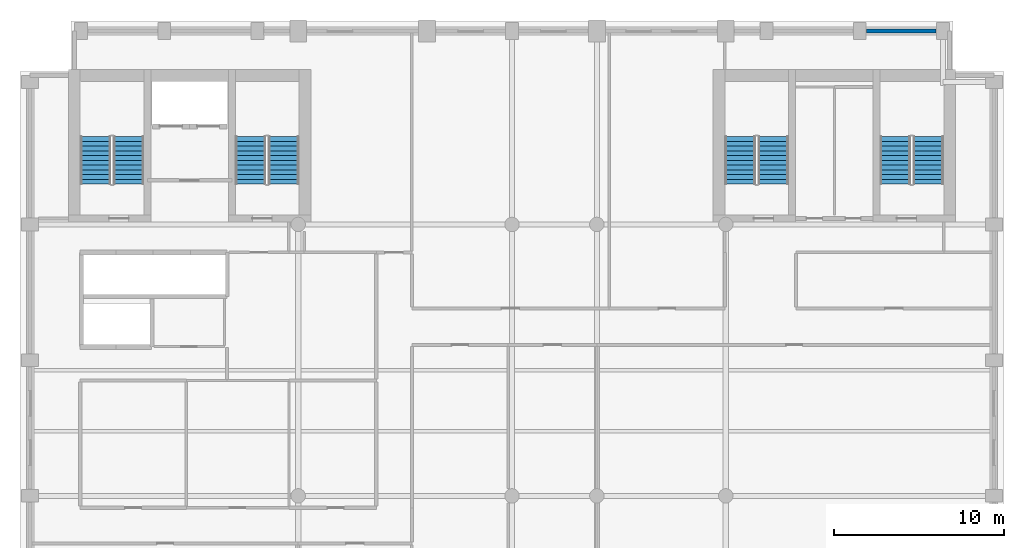
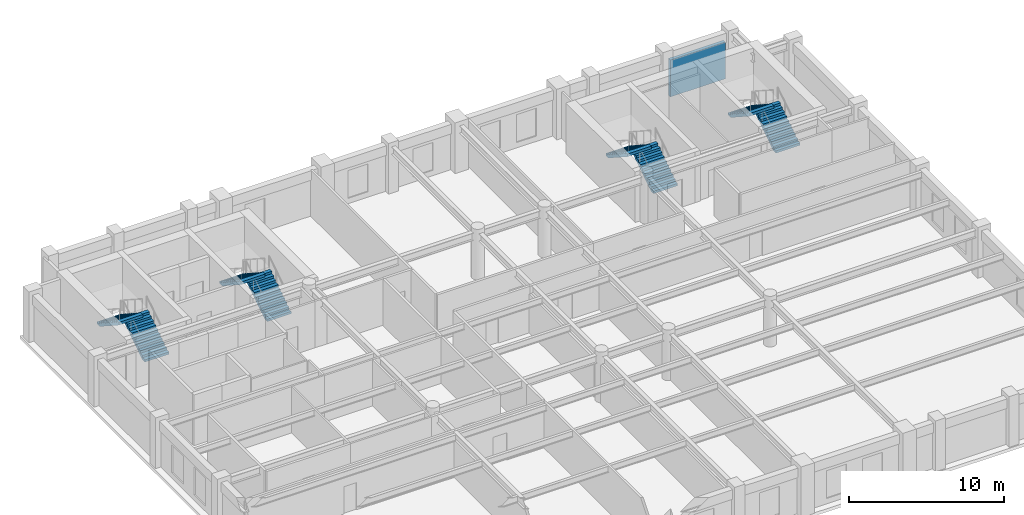
# One storey, part 6 of 8: 8 stair flights, 1 wall, 4 elements without a shape of their own.
"""IFC4 building model written with IfcOpenShell, lengths in metres."""

from ifc_helpers import new_model, si_unit, direction, frame, frame_2d, origin, place, context, subcontext, project, spatial, polyline, rectangle, outline, extrude, material, layer, layer_set, type_object, element, aggregate, save


model = new_model("IFC4")

# Units and contexts
model_context = context("Model", 3, precision=1e-05, world=origin(), true_north=direction((0.0, 1.0)))
body_context = subcontext(model_context, "Body", "Model", "MODEL_VIEW")
ifc_project = project(units=[si_unit("LENGTHUNIT", "METRE"), si_unit("AREAUNIT", "SQUARE_METRE"), si_unit("VOLUMEUNIT", "CUBIC_METRE"), si_unit("PLANEANGLEUNIT", "RADIAN"), si_unit("MASSUNIT", "GRAM", prefix="KILO")], contexts=[model_context])

# Site, building, storey
site_placement = place(None, origin())
site = spatial("IfcSite", under=ifc_project, at=site_placement, CompositionType="ELEMENT")
building_placement = place(site_placement, origin())
building = spatial("IfcBuilding", under=site, at=building_placement, Name="Sulina Concourse Tower", CompositionType="ELEMENT")
storey_placement = place(building_placement, frame((0.0, 0.0, 234.60009765625)))
storey = spatial("IfcBuildingStorey", under=building, at=storey_placement, Name="L57", CompositionType="ELEMENT", Elevation=234.60009765625)

# Wall
ifc_material_1 = material(Name="Precast concrete C50/60", Category="concrete")
ifc_layer = layer(ifc_material_1, 0.239990234375)
ifc_layer_set = layer_set([ifc_layer], Name="Precast concrete C50/60")
wall_type = type_object("IfcWallType", Name="Crown Precast Masonry-Frame Facade Wall 240mm", PredefinedType="SOLIDWALL", material=ifc_layer_set)
wall_placement = place(storey_placement, frame((49.89501953125, 45.39990234375, 0.0), z_axis=(0.0, 0.0, 1.0), x_axis=(1.0, 0.0, 0.0)))
element("IfcWall", 1, at=wall_placement, inside=storey, type_object=wall_type, Name="L57 exterior precast wall N10", PredefinedType="SOLIDWALL", context=body_context, shape_type="SweptSolid", body=[
    extrude(rectangle(XDim=4.10986328125, YDim=0.239990234375, at=frame_2d((2.054931640625, 0.0))), origin(), (0.0, 0.0, 1.0), 2.909912109375),
])

# Stair, stair flights
ifc_material_2 = material(Name="Concrete C50/60", Category="concrete")
stair_type_1 = type_object("IfcStairType", Name="Portal & Podium Core Exit Stair 1820mm", PredefinedType="HALF_TURN_STAIR", material=ifc_material_2)
stair_1_placement = place(storey_placement, origin())
stair_1 = element("IfcStair", 2, at=stair_1_placement, inside=storey, type_object=stair_type_1, Name="L57 ST-3", PredefinedType="HALF_TURN_STAIR")
ifc_material_3 = material(Name="Concrete C50/60", Category="concrete")
stair_flight_type_1 = type_object("IfcStairFlightType", Name="Portal & Podium Core Exit Stair 1820mm Flight", PredefinedType="STRAIGHT", material=ifc_material_3)
stair_flight_1_placement = place(storey_placement, frame((44.405029296875, 36.375, 0.0), z_axis=(0.0, 0.0, 1.0), x_axis=(0.0, 1.0, 0.0)))
stair_flight_1 = element("IfcStairFlight", 3, at=stair_flight_1_placement, type_object=stair_flight_type_1, Name="ST-3 flight 1", NumberOfRisers=11, NumberOfTreads=10, PredefinedType="STRAIGHT", RiserHeight=0.181818182, TreadLength=0.28, context=body_context, shape_type="SweptSolid", body=[
    extrude(outline(polyline([(0.0, 0.0), (0.0, 0.181884765625), (0.280029296875, 0.181884765625), (0.280029296875, 0.363525390625), (0.56005859375, 0.363525390625), (0.56005859375, 0.54541015625), (0.840087890625, 0.54541015625), (0.840087890625, 0.727294921875), (1.1201171875, 0.727294921875), (1.1201171875, 0.9091796875), (1.39990234375, 0.9091796875), (1.39990234375, 1.0908203125), (1.679931640625, 1.0908203125), (1.679931640625, 1.272705078125), (1.9599609375, 1.272705078125), (1.9599609375, 1.45458984375), (2.239990234375, 1.45458984375), (2.239990234375, 1.636474609375), (2.52001953125, 1.636474609375), (2.52001953125, 1.818115234375), (2.800048828125, 1.818115234375), (2.800048828125, 2.0), (2.800048828125, 1.603759765625), (0.330322265625, 0.0), (0.0, 0.0)])), frame((0.0, 0.89990234375, 0.0), z_axis=(0.0, -1.0, 0.0), x_axis=(1.0, 0.0, 0.0)), (0.0, 0.0, 1.0), 1.800048828125),
])
stair_flight_2_placement = place(storey_placement, frame((42.455078125, 39.175048828125, 2.0), z_axis=(0.0, 0.0, 1.0), x_axis=(0.0, -1.0, 0.0)))
stair_flight_2 = element("IfcStairFlight", 4, at=stair_flight_2_placement, type_object=stair_flight_type_1, Name="ST-3 flight 2", NumberOfRisers=11, NumberOfTreads=10, PredefinedType="STRAIGHT", RiserHeight=0.181818182, TreadLength=0.28, context=body_context, shape_type="SweptSolid", body=[
    extrude(outline(polyline([(0.0, 0.0), (0.0, 0.181884765625), (0.280029296875, 0.181884765625), (0.280029296875, 0.363525390625), (0.56005859375, 0.363525390625), (0.56005859375, 0.54541015625), (0.840087890625, 0.54541015625), (0.840087890625, 0.727294921875), (1.1201171875, 0.727294921875), (1.1201171875, 0.9091796875), (1.39990234375, 0.9091796875), (1.39990234375, 1.0908203125), (1.679931640625, 1.0908203125), (1.679931640625, 1.272705078125), (1.9599609375, 1.272705078125), (1.9599609375, 1.45458984375), (2.239990234375, 1.45458984375), (2.239990234375, 1.636474609375), (2.52001953125, 1.636474609375), (2.52001953125, 1.818115234375), (2.800048828125, 1.818115234375), (2.800048828125, 2.0), (2.800048828125, 1.603759765625), (0.330322265625, 0.0), (0.0, 0.0)])), frame((0.0, 0.89990234375, 0.0), z_axis=(0.0, -1.0, 0.0), x_axis=(1.0, 0.0, 0.0)), (0.0, 0.0, 1.0), 1.800048828125),
])
aggregate(stair_1, [stair_flight_1, stair_flight_2])

stair_2_placement = place(storey_placement, origin())
stair_2 = element("IfcStair", 5, at=stair_2_placement, inside=storey, type_object=stair_type_1, Name="L57 ST-4", PredefinedType="HALF_TURN_STAIR")
stair_flight_3_placement = place(storey_placement, frame((53.544921875, 36.375, 0.0), z_axis=(0.0, 0.0, 1.0), x_axis=(0.0, 1.0, 0.0)))
stair_flight_3 = element("IfcStairFlight", 6, at=stair_flight_3_placement, type_object=stair_flight_type_1, Name="ST-4 flight 1", NumberOfRisers=11, NumberOfTreads=10, PredefinedType="STRAIGHT", RiserHeight=0.181818182, TreadLength=0.28, context=body_context, shape_type="SweptSolid", body=[
    extrude(outline(polyline([(0.0, 0.0), (0.0, 0.181884765625), (0.280029296875, 0.181884765625), (0.280029296875, 0.363525390625), (0.56005859375, 0.363525390625), (0.56005859375, 0.54541015625), (0.840087890625, 0.54541015625), (0.840087890625, 0.727294921875), (1.1201171875, 0.727294921875), (1.1201171875, 0.9091796875), (1.39990234375, 0.9091796875), (1.39990234375, 1.0908203125), (1.679931640625, 1.0908203125), (1.679931640625, 1.272705078125), (1.9599609375, 1.272705078125), (1.9599609375, 1.45458984375), (2.239990234375, 1.45458984375), (2.239990234375, 1.636474609375), (2.52001953125, 1.636474609375), (2.52001953125, 1.818115234375), (2.800048828125, 1.818115234375), (2.800048828125, 2.0), (2.800048828125, 1.603759765625), (0.330322265625, 0.0), (0.0, 0.0)])), frame((0.0, 0.89990234375, 0.0), z_axis=(0.0, -1.0, 0.0), x_axis=(1.0, 0.0, 0.0)), (0.0, 0.0, 1.0), 1.800048828125),
])
stair_flight_4_placement = place(storey_placement, frame((51.594970703125, 39.175048828125, 2.0), z_axis=(0.0, 0.0, 1.0), x_axis=(0.0, -1.0, 0.0)))
stair_flight_4 = element("IfcStairFlight", 7, at=stair_flight_4_placement, type_object=stair_flight_type_1, Name="ST-4 flight 2", NumberOfRisers=11, NumberOfTreads=10, PredefinedType="STRAIGHT", RiserHeight=0.181818182, TreadLength=0.28, context=body_context, shape_type="SweptSolid", body=[
    extrude(outline(polyline([(0.0, 0.0), (0.0, 0.181884765625), (0.280029296875, 0.181884765625), (0.280029296875, 0.363525390625), (0.56005859375, 0.363525390625), (0.56005859375, 0.54541015625), (0.840087890625, 0.54541015625), (0.840087890625, 0.727294921875), (1.1201171875, 0.727294921875), (1.1201171875, 0.9091796875), (1.39990234375, 0.9091796875), (1.39990234375, 1.0908203125), (1.679931640625, 1.0908203125), (1.679931640625, 1.272705078125), (1.9599609375, 1.272705078125), (1.9599609375, 1.45458984375), (2.239990234375, 1.45458984375), (2.239990234375, 1.636474609375), (2.52001953125, 1.636474609375), (2.52001953125, 1.818115234375), (2.800048828125, 1.818115234375), (2.800048828125, 2.0), (2.800048828125, 1.603759765625), (0.330322265625, 0.0), (0.0, 0.0)])), frame((0.0, 0.89990234375, 0.0), z_axis=(0.0, -1.0, 0.0), x_axis=(1.0, 0.0, 0.0)), (0.0, 0.0, 1.0), 1.800048828125),
])
aggregate(stair_2, [stair_flight_3, stair_flight_4])

ifc_material_4 = material(Name="Concrete C50/60", Category="concrete")
stair_type_2 = type_object("IfcStairType", Name="Primary Core Dog-Leg Exit Stair 1800mm", PredefinedType="HALF_TURN_STAIR", material=ifc_material_4)
stair_3_placement = place(storey_placement, origin())
stair_3 = element("IfcStair", 8, at=stair_3_placement, inside=storey, type_object=stair_type_2, Name="L57 ST-1", PredefinedType="HALF_TURN_STAIR")
ifc_material_5 = material(Name="Concrete C50/60", Category="concrete")
stair_flight_type_2 = type_object("IfcStairFlightType", Name="Primary Core Dog-Leg Exit Stair 1800mm Flight", PredefinedType="STRAIGHT", material=ifc_material_5)
stair_flight_5_placement = place(storey_placement, frame((6.405029296875, 36.375, 0.0), z_axis=(0.0, 0.0, 1.0), x_axis=(0.0, 1.0, 0.0)))
stair_flight_5 = element("IfcStairFlight", 9, at=stair_flight_5_placement, type_object=stair_flight_type_2, Name="ST-1 flight 1", NumberOfRisers=11, NumberOfTreads=10, PredefinedType="STRAIGHT", RiserHeight=0.181818182, TreadLength=0.28, context=body_context, shape_type="SweptSolid", body=[
    extrude(outline(polyline([(0.0, 0.0), (0.0, 0.181884765625), (0.280029296875, 0.181884765625), (0.280029296875, 0.363525390625), (0.56005859375, 0.363525390625), (0.56005859375, 0.54541015625), (0.840087890625, 0.54541015625), (0.840087890625, 0.727294921875), (1.1201171875, 0.727294921875), (1.1201171875, 0.9091796875), (1.39990234375, 0.9091796875), (1.39990234375, 1.0908203125), (1.679931640625, 1.0908203125), (1.679931640625, 1.272705078125), (1.9599609375, 1.272705078125), (1.9599609375, 1.45458984375), (2.239990234375, 1.45458984375), (2.239990234375, 1.636474609375), (2.52001953125, 1.636474609375), (2.52001953125, 1.818115234375), (2.800048828125, 1.818115234375), (2.800048828125, 2.0), (2.800048828125, 1.603759765625), (0.330322265625, 0.0), (0.0, 0.0)])), frame((0.0, 0.89990234375, 0.0), z_axis=(0.0, -1.0, 0.0), x_axis=(1.0, 0.0, 0.0)), (0.0, 0.0, 1.0), 1.800048828125),
])
stair_flight_6_placement = place(storey_placement, frame((4.455078125, 39.175048828125, 2.0), z_axis=(0.0, 0.0, 1.0), x_axis=(0.0, -1.0, 0.0)))
stair_flight_6 = element("IfcStairFlight", 10, at=stair_flight_6_placement, type_object=stair_flight_type_2, Name="ST-1 flight 2", NumberOfRisers=11, NumberOfTreads=10, PredefinedType="STRAIGHT", RiserHeight=0.181818182, TreadLength=0.28, context=body_context, shape_type="SweptSolid", body=[
    extrude(outline(polyline([(0.0, 0.0), (0.0, 0.181884765625), (0.280029296875, 0.181884765625), (0.280029296875, 0.363525390625), (0.56005859375, 0.363525390625), (0.56005859375, 0.54541015625), (0.840087890625, 0.54541015625), (0.840087890625, 0.727294921875), (1.1201171875, 0.727294921875), (1.1201171875, 0.9091796875), (1.39990234375, 0.9091796875), (1.39990234375, 1.0908203125), (1.679931640625, 1.0908203125), (1.679931640625, 1.272705078125), (1.9599609375, 1.272705078125), (1.9599609375, 1.45458984375), (2.239990234375, 1.45458984375), (2.239990234375, 1.636474609375), (2.52001953125, 1.636474609375), (2.52001953125, 1.818115234375), (2.800048828125, 1.818115234375), (2.800048828125, 2.0), (2.800048828125, 1.603759765625), (0.330322265625, 0.0), (0.0, 0.0)])), frame((0.0, 0.89990234375, 0.0), z_axis=(0.0, -1.0, 0.0), x_axis=(1.0, 0.0, 0.0)), (0.0, 0.0, 1.0), 1.800048828125),
])
aggregate(stair_3, [stair_flight_5, stair_flight_6])

stair_4_placement = place(storey_placement, origin())
stair_4 = element("IfcStair", 11, at=stair_4_placement, inside=storey, type_object=stair_type_2, Name="L57 ST-2", PredefinedType="HALF_TURN_STAIR")
stair_flight_7_placement = place(storey_placement, frame((15.544921875, 36.375, 0.0), z_axis=(0.0, 0.0, 1.0), x_axis=(0.0, 1.0, 0.0)))
stair_flight_7 = element("IfcStairFlight", 12, at=stair_flight_7_placement, type_object=stair_flight_type_2, Name="ST-2 flight 1", NumberOfRisers=11, NumberOfTreads=10, PredefinedType="STRAIGHT", RiserHeight=0.181818182, TreadLength=0.28, context=body_context, shape_type="SweptSolid", body=[
    extrude(outline(polyline([(0.0, 0.0), (0.0, 0.181884765625), (0.280029296875, 0.181884765625), (0.280029296875, 0.363525390625), (0.56005859375, 0.363525390625), (0.56005859375, 0.54541015625), (0.840087890625, 0.54541015625), (0.840087890625, 0.727294921875), (1.1201171875, 0.727294921875), (1.1201171875, 0.9091796875), (1.39990234375, 0.9091796875), (1.39990234375, 1.0908203125), (1.679931640625, 1.0908203125), (1.679931640625, 1.272705078125), (1.9599609375, 1.272705078125), (1.9599609375, 1.45458984375), (2.239990234375, 1.45458984375), (2.239990234375, 1.636474609375), (2.52001953125, 1.636474609375), (2.52001953125, 1.818115234375), (2.800048828125, 1.818115234375), (2.800048828125, 2.0), (2.800048828125, 1.603759765625), (0.330322265625, 0.0), (0.0, 0.0)])), frame((0.0, 0.89990234375, 0.0), z_axis=(0.0, -1.0, 0.0), x_axis=(1.0, 0.0, 0.0)), (0.0, 0.0, 1.0), 1.800048828125),
])
stair_flight_8_placement = place(storey_placement, frame((13.594970703125, 39.175048828125, 2.0), z_axis=(0.0, 0.0, 1.0), x_axis=(0.0, -1.0, 0.0)))
stair_flight_8 = element("IfcStairFlight", 13, at=stair_flight_8_placement, type_object=stair_flight_type_2, Name="ST-2 flight 2", NumberOfRisers=11, NumberOfTreads=10, PredefinedType="STRAIGHT", RiserHeight=0.181818182, TreadLength=0.28, context=body_context, shape_type="SweptSolid", body=[
    extrude(outline(polyline([(0.0, 0.0), (0.0, 0.181884765625), (0.280029296875, 0.181884765625), (0.280029296875, 0.363525390625), (0.56005859375, 0.363525390625), (0.56005859375, 0.54541015625), (0.840087890625, 0.54541015625), (0.840087890625, 0.727294921875), (1.1201171875, 0.727294921875), (1.1201171875, 0.9091796875), (1.39990234375, 0.9091796875), (1.39990234375, 1.0908203125), (1.679931640625, 1.0908203125), (1.679931640625, 1.272705078125), (1.9599609375, 1.272705078125), (1.9599609375, 1.45458984375), (2.239990234375, 1.45458984375), (2.239990234375, 1.636474609375), (2.52001953125, 1.636474609375), (2.52001953125, 1.818115234375), (2.800048828125, 1.818115234375), (2.800048828125, 2.0), (2.800048828125, 1.603759765625), (0.330322265625, 0.0), (0.0, 0.0)])), frame((0.0, 0.89990234375, 0.0), z_axis=(0.0, -1.0, 0.0), x_axis=(1.0, 0.0, 0.0)), (0.0, 0.0, 1.0), 1.800048828125),
])
aggregate(stair_4, [stair_flight_7, stair_flight_8])

save(model, "model.ifc")
